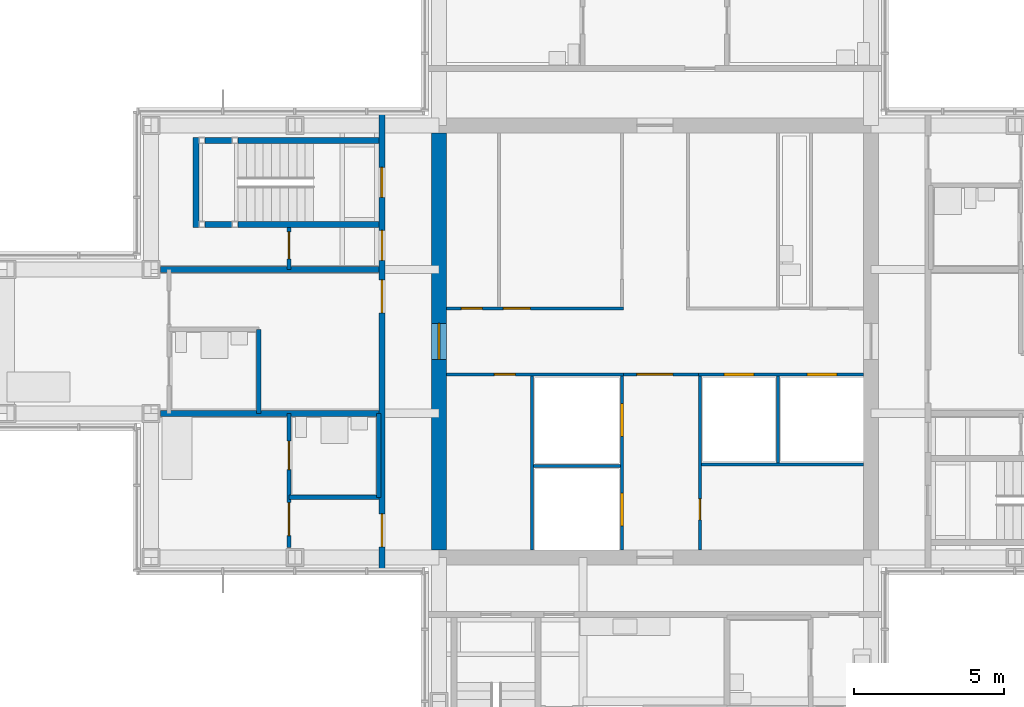
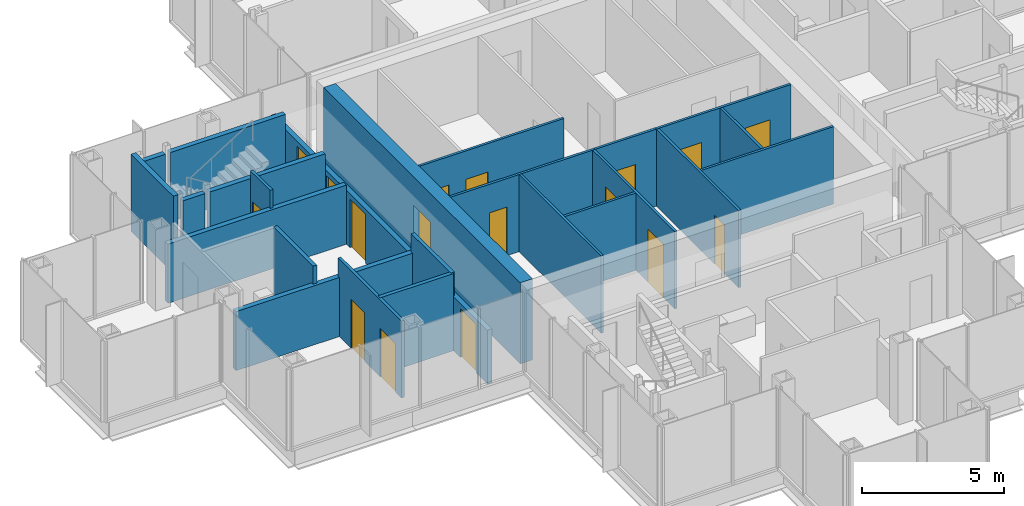
# One storey, part 12 of 17: 24 walls, 17 doors, 17 openings.
"""IFC4 building model written with IfcOpenShell, lengths in metres."""

from ifc_helpers import new_model, si_unit, direction, frame, frame_2d, origin, place, context, subcontext, project, spatial, rectangle, extrude, material, layer, layer_set, type_object, element, fill, save


model = new_model("IFC4")

# Units and contexts
model_context = context("Model", 3, precision=1e-05, world=origin(), true_north=direction((0.0, 1.0)))
body_context = subcontext(model_context, "Body", "Model", "MODEL_VIEW")
ifc_project = project(units=[si_unit("LENGTHUNIT", "METRE"), si_unit("AREAUNIT", "SQUARE_METRE"), si_unit("VOLUMEUNIT", "CUBIC_METRE"), si_unit("PLANEANGLEUNIT", "RADIAN"), si_unit("MASSUNIT", "GRAM", prefix="KILO")], contexts=[model_context])

# Site, building, storey
site_placement = place(None, origin())
site = spatial("IfcSite", under=ifc_project, at=site_placement, CompositionType="ELEMENT")
building_placement = place(site_placement, origin())
building = spatial("IfcBuilding", under=site, at=building_placement, Name="Kvirike Care Tower", CompositionType="ELEMENT")
storey_placement = place(building_placement, frame((0.0, 0.0, 155.0)))
storey = spatial("IfcBuildingStorey", under=building, at=storey_placement, Name="L42", CompositionType="ELEMENT", Elevation=155.0)

# Walls
ifc_material_1 = material(Name="Moisture-resistant board partition", Category="gypsum")
ifc_layer_1 = layer(ifc_material_1, 0.14990234375)
ifc_layer_set_1 = layer_set([ifc_layer_1], Name="BATHROOM WALL 150")
wall_type_1 = type_object("IfcWallType", Name="BATHROOM WALL 150", PredefinedType="PARTITIONING", material=ifc_layer_set_1)
wall_1_placement = place(storey_placement, frame((8.39990234375, 36.39990234375, 0.0), z_axis=(0.0, 0.0, 1.0), x_axis=(0.0, -1.0, 0.0)))
element("IfcWall", 1, at=wall_1_placement, inside=storey, type_object=wall_type_1, Name="Bathroom Wall 150 L42", PredefinedType="PARTITIONING", context=body_context, shape_type="SweptSolid", body=[
    extrude(rectangle(XDim=2.7998046875, YDim=0.14990234375, at=frame_2d((1.39990234375, 0.0))), origin(), (0.0, 0.0, 1.0), 3.330078125),
])
wall_2_placement = place(storey_placement, frame((9.39990234375, 30.800048828125, 0.0), z_axis=(0.0, 0.0, 1.0), x_axis=(1.0, 0.0, 0.0)))
element("IfcWall", 2, at=wall_2_placement, inside=storey, type_object=wall_type_1, Name="Bathroom Wall 150 L42", PredefinedType="PARTITIONING", context=body_context, shape_type="SweptSolid", body=[
    extrude(rectangle(XDim=3.0, YDim=0.14990234375, at=frame_2d((1.5, 0.0))), origin(), (0.0, 0.0, 1.0), 3.330078125),
])
wall_3_placement = place(storey_placement, frame((12.39990234375, 33.60009765625, 0.0), z_axis=(0.0, 0.0, 1.0), x_axis=(0.0, -1.0, 0.0)))
element("IfcWall", 3, at=wall_3_placement, inside=storey, type_object=wall_type_1, Name="Bathroom Wall 150 L42", PredefinedType="PARTITIONING", context=body_context, shape_type="SweptSolid", body=[
    extrude(rectangle(XDim=2.800048828125, YDim=0.14990234375, at=frame_2d((1.39990234375, 0.0))), origin(), (0.0, 0.0, 1.0), 3.330078125),
])

# Wall, opening, door
ifc_material_2 = material(Name="Concrete C45/55", Category="concrete")
ifc_layer_2 = layer(ifc_material_2, 0.5)
ifc_layer_set_2 = layer_set([ifc_layer_2], Name="CORE WALL 500 C45-55")
wall_type_2 = type_object("IfcWallType", Name="CORE WALL 500 C45-55", PredefinedType="SHEAR", material=ifc_layer_set_2)
wall_4_placement = place(storey_placement, frame((14.39990234375, 42.949951171875, -0.169921875), z_axis=(0.0, 0.0, 1.0), x_axis=(0.0, -1.0, 0.0)))
wall_4 = element("IfcWall", 4, at=wall_4_placement, inside=storey, type_object=wall_type_2, Name="Core wall W L42", PredefinedType="SHEAR", context=body_context, shape_type="SweptSolid", body=[
    extrude(rectangle(XDim=13.89990234375, YDim=0.5, at=frame_2d((6.949951171875, 0.0))), origin(), (0.0, 0.0, 1.0), 3.5),
])
opening_1_placement = place(wall_4_placement, frame((6.35009765625, 0.0, 0.169921875)))
opening_1 = element("IfcOpeningElement", 5, at=opening_1_placement, cuts=wall_4, Name="Opening 42-044", PredefinedType="OPENING", context=body_context, shape_type="SweptSolid", body=[
    extrude(rectangle(XDim=1.199951171875, YDim=2.10009765625, at=frame_2d((0.60009765625, 1.050048828125))), frame((0.0, 0.260498046875, 0.0), z_axis=(0.0, -1.0, 0.0), x_axis=(1.0, 0.0, 0.0)), (0.0, 0.0, 1.0), 0.52099609375),
])
ifc_material_3 = material(Name="Timber door set", Category="wood")
door_type_1 = type_object("IfcDoorType", Name="CORE DOOR 1200", OperationType="SINGLE_SWING_LEFT", PredefinedType="DOOR", material=ifc_material_3)
door_1_placement = place(opening_1_placement, origin())
door_1 = element("IfcDoor", 6, at=door_1_placement, inside=storey, type_object=door_type_1, Name="Core door W L42", OperationType="SINGLE_SWING_LEFT", OverallHeight=2.10009765625, OverallWidth=1.199951171875, PredefinedType="DOOR", context=body_context, shape_type="SweptSolid", body=[
    extrude(rectangle(XDim=1.199951171875, YDim=2.10009765625, at=frame_2d((0.60009765625, 1.050048828125))), frame((0.0, 0.02685546875, 0.0), z_axis=(0.0, -1.0, 0.0), x_axis=(1.0, 0.0, 0.0)), (0.0, 0.0, 1.0), 0.053955078125),
])
fill(opening_1, door_1)

# Wall, openings, doors
ifc_material_4 = material(Name="Plasterboard corridor wall", Category="gypsum")
ifc_layer_3 = layer(ifc_material_4, 0.199951171875)
ifc_layer_set_3 = layer_set([ifc_layer_3], Name="CORRIDOR WALL 200")
wall_type_3 = type_object("IfcWallType", Name="CORRIDOR WALL 200", PredefinedType="PARTITIONING", material=ifc_layer_set_3)
wall_5_placement = place(storey_placement, frame((12.5, 43.64990234375, 0.0), z_axis=(0.0, 0.0, 1.0), x_axis=(0.0, -1.0, 0.0)))
wall_5 = element("IfcWall", 7, at=wall_5_placement, inside=storey, type_object=wall_type_3, Name="Corridor Wall 200 L42", PredefinedType="PARTITIONING", context=body_context, shape_type="SweptSolid", body=[
    extrude(rectangle(XDim=15.2998046875, YDim=0.199951171875, at=frame_2d((7.64990234375, 0.0))), origin(), (0.0, 0.0, 1.0), 2.320068359375),
])
opening_2_placement = place(wall_5_placement, frame((1.85009765625, 0.0, 0.0)))
opening_2 = element("IfcOpeningElement", 8, at=opening_2_placement, cuts=wall_5, Name="Opening 42-006", PredefinedType="OPENING", context=body_context, shape_type="SweptSolid", body=[
    extrude(rectangle(XDim=1.0, YDim=2.10009765625, at=frame_2d((0.5, 1.050048828125))), frame((0.0, 0.110595703125, 0.0), z_axis=(0.0, -1.0, 0.0), x_axis=(1.0, 0.0, 0.0)), (0.0, 0.0, 1.0), 0.220947265625),
])
opening_3_placement = place(wall_5_placement, frame((3.949951171875, 0.0, 0.0)))
opening_3 = element("IfcOpeningElement", 9, at=opening_3_placement, cuts=wall_5, Name="Opening 42-007", PredefinedType="OPENING", context=body_context, shape_type="SweptSolid", body=[
    extrude(rectangle(XDim=1.0, YDim=2.10009765625, at=frame_2d((0.5, 1.050048828125))), frame((0.0, 0.110595703125, 0.0), z_axis=(0.0, -1.0, 0.0), x_axis=(1.0, 0.0, 0.0)), (0.0, 0.0, 1.0), 0.220947265625),
])
opening_4_placement = place(wall_5_placement, frame((5.60009765625, 0.0, 0.0)))
opening_4 = element("IfcOpeningElement", 10, at=opening_4_placement, cuts=wall_5, Name="Opening 42-008", PredefinedType="OPENING", context=body_context, shape_type="SweptSolid", body=[
    extrude(rectangle(XDim=1.10009765625, YDim=2.10009765625, at=frame_2d((0.550048828125, 1.050048828125))), frame((0.0, 0.110595703125, 0.0), z_axis=(0.0, -1.0, 0.0), x_axis=(1.0, 0.0, 0.0)), (0.0, 0.0, 1.0), 0.220947265625),
])
opening_5_placement = place(wall_5_placement, frame((13.39990234375, 0.0, 0.0)))
opening_5 = element("IfcOpeningElement", 11, at=opening_5_placement, cuts=wall_5, Name="Opening 42-009", PredefinedType="OPENING", context=body_context, shape_type="SweptSolid", body=[
    extrude(rectangle(XDim=1.10009765625, YDim=2.10009765625, at=frame_2d((0.550048828125, 1.050048828125))), frame((0.0, 0.110595703125, 0.0), z_axis=(0.0, -1.0, 0.0), x_axis=(1.0, 0.0, 0.0)), (0.0, 0.0, 1.0), 0.220947265625),
])
ifc_material_5 = material(Name="Timber door set", Category="wood")
door_type_2 = type_object("IfcDoorType", Name="BEDROOM ENTRANCE DOOR 1100", OperationType="SINGLE_SWING_LEFT", PredefinedType="DOOR", material=ifc_material_5)
door_2_placement = place(opening_4_placement, frame((1.10009765625, 0.0, 0.0), z_axis=(0.0, 0.0, 1.0), x_axis=(-1.0, 0.0, 0.0)))
door_2 = element("IfcDoor", 12, at=door_2_placement, inside=storey, type_object=door_type_2, Name="Memory care bedroom entrance", OperationType="SINGLE_SWING_LEFT", OverallHeight=2.10009765625, OverallWidth=1.10009765625, PredefinedType="DOOR", context=body_context, shape_type="SweptSolid", body=[
    extrude(rectangle(XDim=1.10009765625, YDim=2.10009765625, at=frame_2d((0.550048828125, 1.050048828125))), frame((0.0, 0.02685546875, 0.0), z_axis=(0.0, -1.0, 0.0), x_axis=(1.0, 0.0, 0.0)), (0.0, 0.0, 1.0), 0.053955078125),
])
fill(opening_4, door_2)
door_3_placement = place(opening_5_placement, frame((1.10009765625, 0.0, 0.0), z_axis=(0.0, 0.0, 1.0), x_axis=(-1.0, 0.0, 0.0)))
door_3 = element("IfcDoor", 13, at=door_3_placement, inside=storey, type_object=door_type_2, Name="Memory care bedroom entrance", OperationType="SINGLE_SWING_RIGHT", OverallHeight=2.10009765625, OverallWidth=1.10009765625, PredefinedType="DOOR", context=body_context, shape_type="SweptSolid", body=[
    extrude(rectangle(XDim=1.10009765625, YDim=2.10009765625, at=frame_2d((0.550048828125, 1.050048828125))), frame((0.0, 0.02685546875, 0.0), z_axis=(0.0, -1.0, 0.0), x_axis=(1.0, 0.0, 0.0)), (0.0, 0.0, 1.0), 0.053955078125),
])
fill(opening_5, door_3)
ifc_material_6 = material(Name="Timber door set", Category="wood")
door_type_3 = type_object("IfcDoorType", Name="FLAT ENTRANCE DOOR 1000", OperationType="SINGLE_SWING_LEFT", PredefinedType="DOOR", material=ifc_material_6)
door_4_placement = place(opening_3_placement, frame((1.0, 0.0, 0.0), z_axis=(0.0, 0.0, 1.0), x_axis=(-1.0, 0.0, 0.0)))
door_4 = element("IfcDoor", 14, at=door_4_placement, inside=storey, type_object=door_type_3, Name="Activity room entrance", OperationType="SINGLE_SWING_LEFT", OverallHeight=2.10009765625, OverallWidth=1.0, PredefinedType="DOOR", context=body_context, shape_type="SweptSolid", body=[
    extrude(rectangle(XDim=1.0, YDim=2.10009765625, at=frame_2d((0.5, 1.050048828125))), frame((0.0, 0.02685546875, 0.0), z_axis=(0.0, -1.0, 0.0), x_axis=(1.0, 0.0, 0.0)), (0.0, 0.0, 1.0), 0.053955078125),
])
fill(opening_3, door_4)
ifc_material_7 = material(Name="Timber door set", Category="wood")
door_type_4 = type_object("IfcDoorType", Name="STAIR DOOR 1000", OperationType="SINGLE_SWING_LEFT", PredefinedType="DOOR", material=ifc_material_7)
door_5_placement = place(opening_2_placement, frame((1.0, 0.0, 0.0), z_axis=(0.0, 0.0, 1.0), x_axis=(-1.0, 0.0, 0.0)))
door_5 = element("IfcDoor", 15, at=door_5_placement, inside=storey, type_object=door_type_4, Name="Stair 1 door", OperationType="SINGLE_SWING_LEFT", OverallHeight=2.10009765625, OverallWidth=1.0, PredefinedType="DOOR", context=body_context, shape_type="SweptSolid", body=[
    extrude(rectangle(XDim=1.0, YDim=2.10009765625, at=frame_2d((0.5, 1.050048828125))), frame((0.0, 0.031982421875, 0.0), z_axis=(0.0, -1.0, 0.0), x_axis=(1.0, 0.0, 0.0)), (0.0, 0.0, 1.0), 0.06396484375),
])
fill(opening_2, door_5)

# Wall, opening, door
ifc_material_8 = material(Name="Plasterboard partition", Category="gypsum")
ifc_layer_4 = layer(ifc_material_8, 0.1201171875)
ifc_layer_set_4 = layer_set([ifc_layer_4], Name="PARTITION 120")
wall_type_4 = type_object("IfcWallType", Name="PARTITION 120", PredefinedType="PARTITIONING", material=ifc_layer_set_4)
wall_6_placement = place(storey_placement, frame((9.39990234375, 39.800048828125, 0.0), z_axis=(0.0, 0.0, 1.0), x_axis=(0.0, -1.0, 0.0)))
wall_6 = element("IfcWall", 16, at=wall_6_placement, inside=storey, type_object=wall_type_4, Name="Partition 120 L42", PredefinedType="PARTITIONING", context=body_context, shape_type="SweptSolid", body=[
    extrude(rectangle(XDim=1.400146484375, YDim=0.1201171875, at=frame_2d((0.7001953125, 0.0))), origin(), (0.0, 0.0, 1.0), 3.330078125),
])
opening_6_placement = place(wall_6_placement, frame((0.14990234375, 0.0, 0.0)))
opening_6 = element("IfcOpeningElement", 17, at=opening_6_placement, cuts=wall_6, Name="Opening 42-001", PredefinedType="OPENING", context=body_context, shape_type="SweptSolid", body=[
    extrude(rectangle(XDim=0.89990234375, YDim=2.10009765625, at=frame_2d((0.449951171875, 1.050048828125))), frame((0.0, 0.070556640625, 0.0), z_axis=(0.0, -1.0, 0.0), x_axis=(1.0, 0.0, 0.0)), (0.0, 0.0, 1.0), 0.14111328125),
])
ifc_material_9 = material(Name="Timber door set", Category="wood")
door_type_5 = type_object("IfcDoorType", Name="INTERNAL DOOR 900", OperationType="SINGLE_SWING_LEFT", PredefinedType="DOOR", material=ifc_material_9)
door_6_placement = place(opening_6_placement, origin())
door_6 = element("IfcDoor", 18, at=door_6_placement, inside=storey, type_object=door_type_5, Name="Activity room door", OperationType="SINGLE_SWING_RIGHT", OverallHeight=2.10009765625, OverallWidth=0.89990234375, PredefinedType="DOOR", context=body_context, shape_type="SweptSolid", body=[
    extrude(rectangle(XDim=0.89990234375, YDim=2.10009765625, at=frame_2d((0.449951171875, 1.050048828125))), frame((0.0, 0.02197265625, 0.0), z_axis=(0.0, -1.0, 0.0), x_axis=(1.0, 0.0, 0.0)), (0.0, 0.0, 1.0), 0.0439453125),
])
fill(opening_6, door_6)

# Wall, openings, doors
wall_7_placement = place(storey_placement, frame((9.39990234375, 33.60009765625, 0.0), z_axis=(0.0, 0.0, 1.0), x_axis=(0.0, -1.0, 0.0)))
wall_7 = element("IfcWall", 19, at=wall_7_placement, inside=storey, type_object=wall_type_4, Name="Partition 120 L42", PredefinedType="PARTITIONING", context=body_context, shape_type="SweptSolid", body=[
    extrude(rectangle(XDim=4.47998046875, YDim=0.1201171875, at=frame_2d((2.239990234375, 0.0))), origin(), (0.0, 0.0, 1.0), 3.330078125),
])
opening_7_placement = place(wall_7_placement, frame((2.97509765625, 0.0, 0.0)))
opening_7 = element("IfcOpeningElement", 20, at=opening_7_placement, cuts=wall_7, Name="Opening 42-004", PredefinedType="OPENING", context=body_context, shape_type="SweptSolid", body=[
    extrude(rectangle(XDim=1.10009765625, YDim=2.10009765625, at=frame_2d((0.550048828125, 1.050048828125))), frame((0.0, 0.070556640625, 0.0), z_axis=(0.0, -1.0, 0.0), x_axis=(1.0, 0.0, 0.0)), (0.0, 0.0, 1.0), 0.14111328125),
])
opening_8_placement = place(wall_7_placement, frame((0.925048828125, 0.0, 0.0)))
opening_8 = element("IfcOpeningElement", 21, at=opening_8_placement, cuts=wall_7, Name="Opening 42-005", PredefinedType="OPENING", context=body_context, shape_type="SweptSolid", body=[
    extrude(rectangle(XDim=0.949951171875, YDim=2.10009765625, at=frame_2d((0.47509765625, 1.050048828125))), frame((0.0, 0.070556640625, 0.0), z_axis=(0.0, -1.0, 0.0), x_axis=(1.0, 0.0, 0.0)), (0.0, 0.0, 1.0), 0.14111328125),
])
ifc_material_10 = material(Name="Timber door set", Category="wood")
door_type_6 = type_object("IfcDoorType", Name="BEDROOM DOOR 1100", OperationType="SINGLE_SWING_LEFT", PredefinedType="DOOR", material=ifc_material_10)
door_7_placement = place(opening_7_placement, origin())
door_7 = element("IfcDoor", 22, at=door_7_placement, inside=storey, type_object=door_type_6, Name="Memory care bedroom door", OperationType="SINGLE_SWING_RIGHT", OverallHeight=2.10009765625, OverallWidth=1.10009765625, PredefinedType="DOOR", context=body_context, shape_type="SweptSolid", body=[
    extrude(rectangle(XDim=1.10009765625, YDim=2.10009765625, at=frame_2d((0.550048828125, 1.050048828125))), frame((0.0, 0.02197265625, 0.0), z_axis=(0.0, -1.0, 0.0), x_axis=(1.0, 0.0, 0.0)), (0.0, 0.0, 1.0), 0.0439453125),
])
fill(opening_7, door_7)
ifc_material_11 = material(Name="Timber door set", Category="wood")
door_type_7 = type_object("IfcDoorType", Name="EN-SUITE SLIDING DOOR 950", OperationType="SLIDING_TO_LEFT", PredefinedType="DOOR", material=ifc_material_11)
door_8_placement = place(opening_8_placement, origin())
door_8 = element("IfcDoor", 23, at=door_8_placement, inside=storey, type_object=door_type_7, Name="En-suite door", OperationType="SLIDING_TO_RIGHT", OverallHeight=2.10009765625, OverallWidth=0.949951171875, PredefinedType="DOOR", context=body_context, shape_type="SweptSolid", body=[
    extrude(rectangle(XDim=0.949951171875, YDim=2.10009765625, at=frame_2d((0.47509765625, 1.050048828125))), frame((0.0, 0.02197265625, 0.0), z_axis=(0.0, -1.0, 0.0), x_axis=(1.0, 0.0, 0.0)), (0.0, 0.0, 1.0), 0.0439453125),
])
fill(opening_8, door_8)

# Walls
ifc_material_12 = material(Name="Plasterboard party wall", Category="gypsum")
ifc_layer_5 = layer(ifc_material_12, 0.199951171875)
ifc_layer_set_5 = layer_set([ifc_layer_5], Name="PARTY WALL 200")
wall_type_5 = type_object("IfcWallType", Name="PARTY WALL 200", PredefinedType="PARTITIONING", material=ifc_layer_set_5)
for number, where, z_axis, x_axis, name in (
    (24, (5.1201171875, 38.39990234375, 0.0), (0.0, 0.0, 1.0), (1.0, 0.0, 0.0), "Party Wall 200 L42"),
    (25, (5.1201171875, 33.60009765625, 0.0), (0.0, 0.0, 1.0), (1.0, 0.0, 0.0), "Party Wall 200 L42"),
):
    element("IfcWall", number, at=place(storey_placement, frame(where, z_axis=z_axis, x_axis=x_axis)), inside=storey, type_object=wall_type_5, Name=name, PredefinedType="PARTITIONING", context=body_context, shape_type="SweptSolid", body=[
        extrude(rectangle(XDim=7.27978515625, YDim=0.199951171875, at=frame_2d((3.639892578125, 0.0))), origin(), (0.0, 0.0, 1.0), 2.550048828125),
    ])

# Wall, openings, doors
ifc_material_13 = material(Name="Gypsum shaft wall system", Category="gypsum")
ifc_layer_6 = layer(ifc_material_13, 0.10009765625)
ifc_layer_set_6 = layer_set([ifc_layer_6], Name="SHAFT WALL 100")
wall_type_6 = type_object("IfcWallType", Name="SHAFT WALL 100", PredefinedType="SOLIDWALL", material=ifc_layer_set_6)
wall_8_placement = place(storey_placement, frame((20.5, 29.050048828125, 0.0), z_axis=(0.0, 0.0, 1.0), x_axis=(0.0, 1.0, 0.0)))
wall_8 = element("IfcWall", 26, at=wall_8_placement, inside=storey, type_object=wall_type_6, Name="Shaft Wall 100 L42", PredefinedType="SOLIDWALL", context=body_context, shape_type="SweptSolid", body=[
    extrude(rectangle(XDim=5.800048828125, YDim=0.10009765625, at=frame_2d((2.89990234375, 0.0))), origin(), (0.0, 0.0, 1.0), 3.330078125),
])
opening_9_placement = place(wall_8_placement, frame((0.800048828125, 0.0, 0.0)))
opening_9 = element("IfcOpeningElement", 27, at=opening_9_placement, cuts=wall_8, Name="Opening 42-030", PredefinedType="OPENING", context=body_context, shape_type="SweptSolid", body=[
    extrude(rectangle(XDim=1.10009765625, YDim=2.300048828125, at=frame_2d((0.550048828125, 1.14990234375))), frame((0.0, 0.060546875, 0.0), z_axis=(0.0, -1.0, 0.0), x_axis=(1.0, 0.0, 0.0)), (0.0, 0.0, 1.0), 0.12109375),
])
opening_10_placement = place(wall_8_placement, frame((3.77490234375, 0.0, 0.0)))
opening_10 = element("IfcOpeningElement", 28, at=opening_10_placement, cuts=wall_8, Name="Opening 42-031", PredefinedType="OPENING", context=body_context, shape_type="SweptSolid", body=[
    extrude(rectangle(XDim=1.10009765625, YDim=2.300048828125, at=frame_2d((0.550048828125, 1.14990234375))), frame((0.0, 0.060546875, 0.0), z_axis=(0.0, -1.0, 0.0), x_axis=(1.0, 0.0, 0.0)), (0.0, 0.0, 1.0), 0.12109375),
])
ifc_material_14 = material(Name="Aluminium door frame", Category="aluminium")
door_type_8 = type_object("IfcDoorType", Name="FIRE-FIGHTING LIFT LANDING DOOR 1100", OperationType="SLIDING_TO_LEFT", PredefinedType="DOOR", material=ifc_material_14)
door_9_placement = place(opening_9_placement, origin())
door_9 = element("IfcDoor", 29, at=door_9_placement, inside=storey, type_object=door_type_8, Name="Lift FF1 landing door", OperationType="SLIDING_TO_LEFT", OverallHeight=2.300048828125, OverallWidth=1.10009765625, PredefinedType="DOOR", context=body_context, shape_type="SweptSolid", body=[
    extrude(rectangle(XDim=1.10009765625, YDim=2.300048828125, at=frame_2d((0.550048828125, 1.14990234375))), frame((0.0, 0.0498046875, 0.0), z_axis=(0.0, -1.0, 0.0), x_axis=(1.0, 0.0, 0.0)), (0.0, 0.0, 1.0), 0.099609375),
])
fill(opening_9, door_9)
door_10_placement = place(opening_10_placement, origin())
door_10 = element("IfcDoor", 30, at=door_10_placement, inside=storey, type_object=door_type_8, Name="Lift FF2 landing door", OperationType="SLIDING_TO_LEFT", OverallHeight=2.300048828125, OverallWidth=1.10009765625, PredefinedType="DOOR", context=body_context, shape_type="SweptSolid", body=[
    extrude(rectangle(XDim=1.10009765625, YDim=2.300048828125, at=frame_2d((0.550048828125, 1.14990234375))), frame((0.0, 0.0498046875, 0.0), z_axis=(0.0, -1.0, 0.0), x_axis=(1.0, 0.0, 0.0)), (0.0, 0.0, 1.0), 0.099609375),
])
fill(opening_10, door_10)

# Wall, opening, door
wall_9_placement = place(storey_placement, frame((23.10009765625, 29.050048828125, 0.0), z_axis=(0.0, 0.0, 1.0), x_axis=(0.0, 1.0, 0.0)))
wall_9 = element("IfcWall", 31, at=wall_9_placement, inside=storey, type_object=wall_type_6, Name="Shaft Wall 100 L42", PredefinedType="SOLIDWALL", context=body_context, shape_type="SweptSolid", body=[
    extrude(rectangle(XDim=5.800048828125, YDim=0.10009765625, at=frame_2d((2.89990234375, 0.0))), origin(), (0.0, 0.0, 1.0), 3.330078125),
])
opening_11_placement = place(wall_9_placement, frame((1.0, 0.0, 0.0)))
opening_11 = element("IfcOpeningElement", 32, at=opening_11_placement, cuts=wall_9, Name="Opening 42-034", PredefinedType="OPENING", context=body_context, shape_type="SweptSolid", body=[
    extrude(rectangle(XDim=0.699951171875, YDim=2.10009765625, at=frame_2d((0.35009765625, 1.050048828125))), frame((0.0, 0.060546875, 0.0), z_axis=(0.0, -1.0, 0.0), x_axis=(1.0, 0.0, 0.0)), (0.0, 0.0, 1.0), 0.12109375),
])
ifc_material_15 = material(Name="Timber door set", Category="wood")
door_type_9 = type_object("IfcDoorType", Name="RISER DOOR 700", OperationType="SINGLE_SWING_LEFT", PredefinedType="DOOR", material=ifc_material_15)
door_11_placement = place(opening_11_placement, origin())
door_11 = element("IfcDoor", 33, at=door_11_placement, inside=storey, type_object=door_type_9, Name="Riser door", OperationType="SINGLE_SWING_RIGHT", OverallHeight=2.10009765625, OverallWidth=0.699951171875, PredefinedType="DOOR", context=body_context, shape_type="SweptSolid", body=[
    extrude(rectangle(XDim=0.699951171875, YDim=2.10009765625, at=frame_2d((0.35009765625, 1.050048828125))), frame((0.0, 0.02685546875, 0.0), z_axis=(0.0, -1.0, 0.0), x_axis=(1.0, 0.0, 0.0)), (0.0, 0.0, 1.0), 0.053955078125),
])
fill(opening_11, door_11)

wall_10_placement = place(storey_placement, frame((14.64990234375, 34.89990234375, 0.0), z_axis=(0.0, 0.0, 1.0), x_axis=(1.0, 0.0, 0.0)))
wall_10 = element("IfcWall", 34, at=wall_10_placement, inside=storey, type_object=wall_type_6, Name="Shaft Wall 100 L42", PredefinedType="SOLIDWALL", context=body_context, shape_type="SweptSolid", body=[
    extrude(rectangle(XDim=5.900146484375, YDim=0.10009765625, at=frame_2d((2.9501953125, 0.0))), origin(), (0.0, 0.0, 1.0), 3.330078125),
])
opening_12_placement = place(wall_10_placement, frame((1.60009765625, 0.0, 0.0)))
opening_12 = element("IfcOpeningElement", 35, at=opening_12_placement, cuts=wall_10, Name="Opening 42-035", PredefinedType="OPENING", context=body_context, shape_type="SweptSolid", body=[
    extrude(rectangle(XDim=0.699951171875, YDim=2.10009765625, at=frame_2d((0.35009765625, 1.050048828125))), frame((0.0, 0.060546875, 0.0), z_axis=(0.0, -1.0, 0.0), x_axis=(1.0, 0.0, 0.0)), (0.0, 0.0, 1.0), 0.12109375),
])
door_12_placement = place(opening_12_placement, frame((0.699951171875, 0.0, 0.0), z_axis=(0.0, 0.0, 1.0), x_axis=(-1.0, 0.0, 0.0)))
door_12 = element("IfcDoor", 36, at=door_12_placement, inside=storey, type_object=door_type_9, Name="Riser door", OperationType="SINGLE_SWING_RIGHT", OverallHeight=2.10009765625, OverallWidth=0.699951171875, PredefinedType="DOOR", context=body_context, shape_type="SweptSolid", body=[
    extrude(rectangle(XDim=0.699951171875, YDim=2.10009765625, at=frame_2d((0.35009765625, 1.050048828125))), frame((0.0, 0.02685546875, 0.0), z_axis=(0.0, -1.0, 0.0), x_axis=(1.0, 0.0, 0.0)), (0.0, 0.0, 1.0), 0.053955078125),
])
fill(opening_12, door_12)

# Wall, openings, doors
wall_11_placement = place(storey_placement, frame((23.050048828125, 34.89990234375, 0.0), z_axis=(0.0, 0.0, 1.0), x_axis=(1.0, 0.0, 0.0)))
wall_11 = element("IfcWall", 37, at=wall_11_placement, inside=storey, type_object=wall_type_6, Name="Shaft Wall 100 L42", PredefinedType="SOLIDWALL", context=body_context, shape_type="SweptSolid", body=[
    extrude(rectangle(XDim=5.5, YDim=0.10009765625, at=frame_2d((2.75, 0.0))), origin(), (0.0, 0.0, 1.0), 3.330078125),
])
opening_13_placement = place(wall_11_placement, frame((0.85009765625, 0.0, 0.0)))
opening_13 = element("IfcOpeningElement", 38, at=opening_13_placement, cuts=wall_11, Name="Opening 42-036", PredefinedType="OPENING", context=body_context, shape_type="SweptSolid", body=[
    extrude(rectangle(XDim=1.0, YDim=2.10009765625, at=frame_2d((0.5, 1.050048828125))), frame((0.0, 0.060546875, 0.0), z_axis=(0.0, -1.0, 0.0), x_axis=(1.0, 0.0, 0.0)), (0.0, 0.0, 1.0), 0.12109375),
])
opening_14_placement = place(wall_11_placement, frame((3.625, 0.0, 0.0)))
opening_14 = element("IfcOpeningElement", 39, at=opening_14_placement, cuts=wall_11, Name="Opening 42-037", PredefinedType="OPENING", context=body_context, shape_type="SweptSolid", body=[
    extrude(rectangle(XDim=1.0, YDim=2.10009765625, at=frame_2d((0.5, 1.050048828125))), frame((0.0, 0.060546875, 0.0), z_axis=(0.0, -1.0, 0.0), x_axis=(1.0, 0.0, 0.0)), (0.0, 0.0, 1.0), 0.12109375),
])
ifc_material_16 = material(Name="Aluminium door frame", Category="aluminium")
door_type_10 = type_object("IfcDoorType", Name="LIFT LANDING DOOR 1000", OperationType="SLIDING_TO_LEFT", PredefinedType="DOOR", material=ifc_material_16)
door_13_placement = place(opening_13_placement, origin())
door_13 = element("IfcDoor", 40, at=door_13_placement, inside=storey, type_object=door_type_10, Name="Lift P5 landing door", OperationType="SLIDING_TO_LEFT", OverallHeight=2.10009765625, OverallWidth=1.0, PredefinedType="DOOR", context=body_context, shape_type="SweptSolid", body=[
    extrude(rectangle(XDim=1.0, YDim=2.10009765625, at=frame_2d((0.5, 1.050048828125))), frame((0.0, 0.0498046875, 0.0), z_axis=(0.0, -1.0, 0.0), x_axis=(1.0, 0.0, 0.0)), (0.0, 0.0, 1.0), 0.099609375),
])
fill(opening_13, door_13)
door_14_placement = place(opening_14_placement, origin())
door_14 = element("IfcDoor", 41, at=door_14_placement, inside=storey, type_object=door_type_10, Name="Lift P6 landing door", OperationType="SLIDING_TO_LEFT", OverallHeight=2.10009765625, OverallWidth=1.0, PredefinedType="DOOR", context=body_context, shape_type="SweptSolid", body=[
    extrude(rectangle(XDim=1.0, YDim=2.10009765625, at=frame_2d((0.5, 1.050048828125))), frame((0.0, 0.0498046875, 0.0), z_axis=(0.0, -1.0, 0.0), x_axis=(1.0, 0.0, 0.0)), (0.0, 0.0, 1.0), 0.099609375),
])
fill(opening_14, door_14)

wall_12_placement = place(storey_placement, frame((14.64990234375, 37.10009765625, 0.0), z_axis=(0.0, 0.0, 1.0), x_axis=(1.0, 0.0, 0.0)))
wall_12 = element("IfcWall", 42, at=wall_12_placement, inside=storey, type_object=wall_type_6, Name="Shaft Wall 100 L42", PredefinedType="SOLIDWALL", context=body_context, shape_type="SweptSolid", body=[
    extrude(rectangle(XDim=5.900146484375, YDim=0.10009765625, at=frame_2d((2.9501953125, 0.0))), origin(), (0.0, 0.0, 1.0), 3.330078125),
])
opening_15_placement = place(wall_12_placement, frame((0.5, 0.0, 0.0)))
opening_15 = element("IfcOpeningElement", 43, at=opening_15_placement, cuts=wall_12, Name="Opening 42-038", PredefinedType="OPENING", context=body_context, shape_type="SweptSolid", body=[
    extrude(rectangle(XDim=0.699951171875, YDim=2.10009765625, at=frame_2d((0.35009765625, 1.050048828125))), frame((0.0, 0.060546875, 0.0), z_axis=(0.0, -1.0, 0.0), x_axis=(1.0, 0.0, 0.0)), (0.0, 0.0, 1.0), 0.12109375),
])
opening_16_placement = place(wall_12_placement, frame((1.89990234375, 0.0, 0.0)))
opening_16 = element("IfcOpeningElement", 44, at=opening_16_placement, cuts=wall_12, Name="Opening 42-039", PredefinedType="OPENING", context=body_context, shape_type="SweptSolid", body=[
    extrude(rectangle(XDim=0.89990234375, YDim=2.10009765625, at=frame_2d((0.449951171875, 1.050048828125))), frame((0.0, 0.060546875, 0.0), z_axis=(0.0, -1.0, 0.0), x_axis=(1.0, 0.0, 0.0)), (0.0, 0.0, 1.0), 0.12109375),
])
door_15_placement = place(opening_15_placement, origin())
door_15 = element("IfcDoor", 45, at=door_15_placement, inside=storey, type_object=door_type_9, Name="Riser door", OperationType="SINGLE_SWING_RIGHT", OverallHeight=2.10009765625, OverallWidth=0.699951171875, PredefinedType="DOOR", context=body_context, shape_type="SweptSolid", body=[
    extrude(rectangle(XDim=0.699951171875, YDim=2.10009765625, at=frame_2d((0.35009765625, 1.050048828125))), frame((0.0, 0.02685546875, 0.0), z_axis=(0.0, -1.0, 0.0), x_axis=(1.0, 0.0, 0.0)), (0.0, 0.0, 1.0), 0.053955078125),
])
fill(opening_15, door_15)
ifc_material_17 = material(Name="Timber door set", Category="wood")
door_type_11 = type_object("IfcDoorType", Name="STORE DOOR 900", OperationType="SINGLE_SWING_LEFT", PredefinedType="DOOR", material=ifc_material_17)
door_16_placement = place(opening_16_placement, origin())
door_16 = element("IfcDoor", 46, at=door_16_placement, inside=storey, type_object=door_type_11, Name="Staff changing room door", OperationType="SINGLE_SWING_RIGHT", OverallHeight=2.10009765625, OverallWidth=0.89990234375, PredefinedType="DOOR", context=body_context, shape_type="SweptSolid", body=[
    extrude(rectangle(XDim=0.89990234375, YDim=2.10009765625, at=frame_2d((0.449951171875, 1.050048828125))), frame((0.0, 0.02685546875, 0.0), z_axis=(0.0, -1.0, 0.0), x_axis=(1.0, 0.0, 0.0)), (0.0, 0.0, 1.0), 0.053955078125),
])
fill(opening_16, door_16)

# Wall, opening, door
wall_13_placement = place(storey_placement, frame((20.550048828125, 34.89990234375, 0.0), z_axis=(0.0, 0.0, 1.0), x_axis=(1.0, 0.0, 0.0)))
wall_13 = element("IfcWall", 47, at=wall_13_placement, inside=storey, type_object=wall_type_6, Name="Shaft Wall 100 L42", PredefinedType="SOLIDWALL", context=body_context, shape_type="SweptSolid", body=[
    extrude(rectangle(XDim=2.5, YDim=0.10009765625, at=frame_2d((1.25, 0.0))), origin(), (0.0, 0.0, 1.0), 3.330078125),
])
opening_17_placement = place(wall_13_placement, frame((0.449951171875, 0.0, 0.0)))
opening_17 = element("IfcOpeningElement", 48, at=opening_17_placement, cuts=wall_13, Name="Opening 42-042", PredefinedType="OPENING", context=body_context, shape_type="SweptSolid", body=[
    extrude(rectangle(XDim=1.199951171875, YDim=2.10009765625, at=frame_2d((0.60009765625, 1.050048828125))), frame((0.0, 0.060546875, 0.0), z_axis=(0.0, -1.0, 0.0), x_axis=(1.0, 0.0, 0.0)), (0.0, 0.0, 1.0), 0.12109375),
])
door_17_placement = place(opening_17_placement, frame((1.199951171875, 0.0, 0.0), z_axis=(0.0, 0.0, 1.0), x_axis=(-1.0, 0.0, 0.0)))
door_17 = element("IfcDoor", 49, at=door_17_placement, inside=storey, type_object=door_type_1, Name="Fire-fighting lobby door", OperationType="SINGLE_SWING_LEFT", OverallHeight=2.10009765625, OverallWidth=1.199951171875, PredefinedType="DOOR", context=body_context, shape_type="SweptSolid", body=[
    extrude(rectangle(XDim=1.199951171875, YDim=2.10009765625, at=frame_2d((0.60009765625, 1.050048828125))), frame((0.0, 0.02685546875, 0.0), z_axis=(0.0, -1.0, 0.0), x_axis=(1.0, 0.0, 0.0)), (0.0, 0.0, 1.0), 0.053955078125),
])
fill(opening_17, door_17)

# Walls
wall_14_placement = place(storey_placement, frame((17.5, 29.050048828125, 0.0), z_axis=(0.0, 0.0, 1.0), x_axis=(0.0, 1.0, 0.0)))
element("IfcWall", 50, at=wall_14_placement, inside=storey, type_object=wall_type_6, Name="Shaft Wall 100 L42", PredefinedType="SOLIDWALL", context=body_context, shape_type="SweptSolid", body=[
    extrude(rectangle(XDim=5.800048828125, YDim=0.10009765625, at=frame_2d((2.89990234375, 0.0))), origin(), (0.0, 0.0, 1.0), 3.330078125),
])
wall_15_placement = place(storey_placement, frame((17.550048828125, 31.85009765625, 0.0), z_axis=(0.0, 0.0, 1.0), x_axis=(1.0, 0.0, 0.0)))
element("IfcWall", 51, at=wall_15_placement, inside=storey, type_object=wall_type_6, Name="Shaft Wall 100 L42", PredefinedType="SOLIDWALL", context=body_context, shape_type="SweptSolid", body=[
    extrude(rectangle(XDim=2.89990234375, YDim=0.10009765625, at=frame_2d((1.449951171875, 0.0))), origin(), (0.0, 0.0, 1.0), 3.330078125),
])
wall_16_placement = place(storey_placement, frame((25.699951171875, 31.949951171875, 0.0), z_axis=(0.0, 0.0, 1.0), x_axis=(0.0, 1.0, 0.0)))
element("IfcWall", 52, at=wall_16_placement, inside=storey, type_object=wall_type_6, Name="Shaft Wall 100 L42", PredefinedType="SOLIDWALL", context=body_context, shape_type="SweptSolid", body=[
    extrude(rectangle(XDim=2.900146484375, YDim=0.10009765625, at=frame_2d((1.4501953125, 0.0))), origin(), (0.0, 0.0, 1.0), 3.330078125),
])
wall_17_placement = place(storey_placement, frame((23.14990234375, 31.89990234375, 0.0), z_axis=(0.0, 0.0, 1.0), x_axis=(1.0, 0.0, 0.0)))
element("IfcWall", 53, at=wall_17_placement, inside=storey, type_object=wall_type_6, Name="Shaft Wall 100 L42", PredefinedType="SOLIDWALL", context=body_context, shape_type="SweptSolid", body=[
    extrude(rectangle(XDim=5.400146484375, YDim=0.10009765625, at=frame_2d((2.7001953125, 0.0))), origin(), (0.0, 0.0, 1.0), 3.330078125),
])
ifc_material_18 = material(Name="Concrete C40/50", Category="concrete")
ifc_layer_7 = layer(ifc_material_18, 0.199951171875)
ifc_layer_set_7 = layer_set([ifc_layer_7], Name="STAIR WALL 200")
wall_type_7 = type_object("IfcWallType", Name="STAIR WALL 200", PredefinedType="SOLIDWALL", material=ifc_layer_set_7)
wall_18_placement = place(storey_placement, frame((6.60009765625, 42.699951171875, 0.0), z_axis=(0.0, 0.0, 1.0), x_axis=(1.0, 0.0, 0.0)))
element("IfcWall", 54, at=wall_18_placement, inside=storey, type_object=wall_type_7, Name="Stair Wall 200 L42", PredefinedType="SOLIDWALL", context=body_context, shape_type="SweptSolid", body=[
    extrude(rectangle(XDim=0.89990234375, YDim=0.199951171875, at=frame_2d((0.449951171875, 0.0))), origin(), (0.0, 0.0, 1.0), 2.989990234375),
])
wall_19_placement = place(storey_placement, frame((7.699951171875, 42.699951171875, 0.0), z_axis=(0.0, 0.0, 1.0), x_axis=(1.0, 0.0, 0.0)))
element("IfcWall", 55, at=wall_19_placement, inside=storey, type_object=wall_type_7, Name="Stair Wall 200 L42", PredefinedType="SOLIDWALL", context=body_context, shape_type="SweptSolid", body=[
    extrude(rectangle(XDim=4.699951171875, YDim=0.199951171875, at=frame_2d((2.35009765625, 0.0))), origin(), (0.0, 0.0, 1.0), 2.989990234375),
])
wall_20_placement = place(storey_placement, frame((6.60009765625, 39.89990234375, 0.0), z_axis=(0.0, 0.0, 1.0), x_axis=(1.0, 0.0, 0.0)))
element("IfcWall", 56, at=wall_20_placement, inside=storey, type_object=wall_type_7, Name="Stair Wall 200 L42", PredefinedType="SOLIDWALL", context=body_context, shape_type="SweptSolid", body=[
    extrude(rectangle(XDim=0.89990234375, YDim=0.199951171875, at=frame_2d((0.449951171875, 0.0))), origin(), (0.0, 0.0, 1.0), 2.989990234375),
])
wall_21_placement = place(storey_placement, frame((7.699951171875, 39.89990234375, 0.0), z_axis=(0.0, 0.0, 1.0), x_axis=(1.0, 0.0, 0.0)))
element("IfcWall", 57, at=wall_21_placement, inside=storey, type_object=wall_type_7, Name="Stair Wall 200 L42", PredefinedType="SOLIDWALL", context=body_context, shape_type="SweptSolid", body=[
    extrude(rectangle(XDim=4.699951171875, YDim=0.199951171875, at=frame_2d((2.35009765625, 0.0))), origin(), (0.0, 0.0, 1.0), 2.989990234375),
])
wall_22_placement = place(storey_placement, frame((6.300048828125, 42.800048828125, 0.0), z_axis=(0.0, 0.0, 1.0), x_axis=(0.0, -1.0, 0.0)))
element("IfcWall", 58, at=wall_22_placement, inside=storey, type_object=wall_type_7, Name="Stair Wall 200 L42", PredefinedType="SOLIDWALL", context=body_context, shape_type="SweptSolid", body=[
    extrude(rectangle(XDim=3.0, YDim=0.199951171875, at=frame_2d((1.5, 0.0))), origin(), (0.0, 0.0, 1.0), 3.330078125),
])

save(model, "model.ifc")
